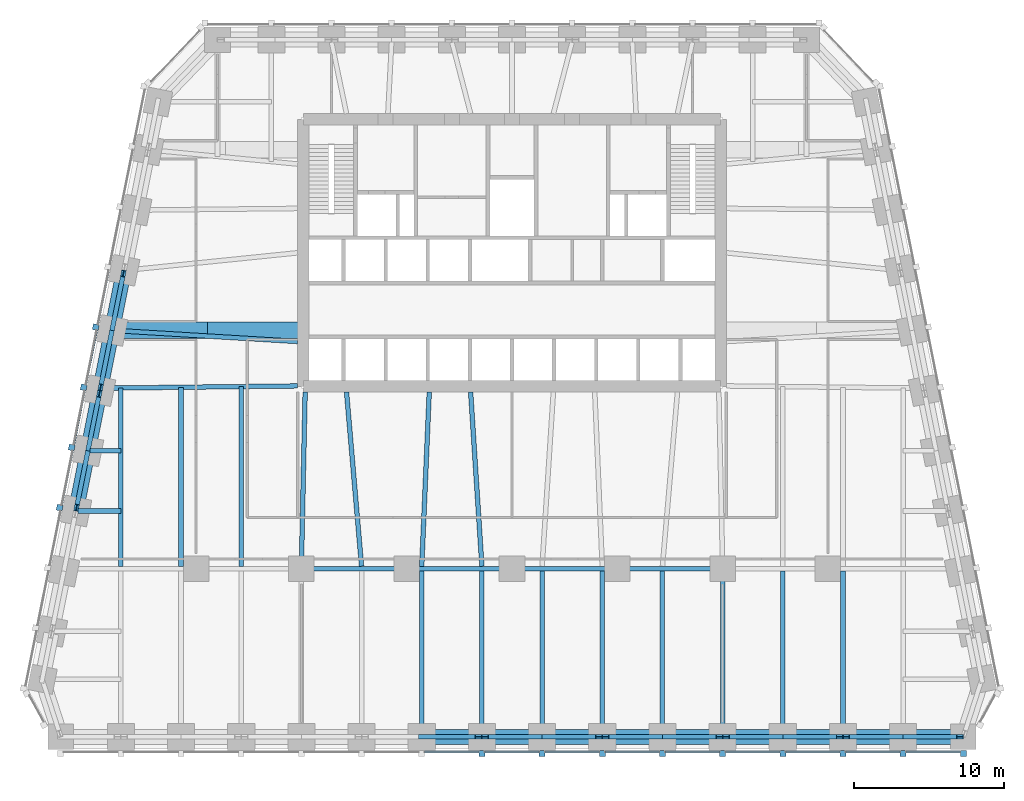
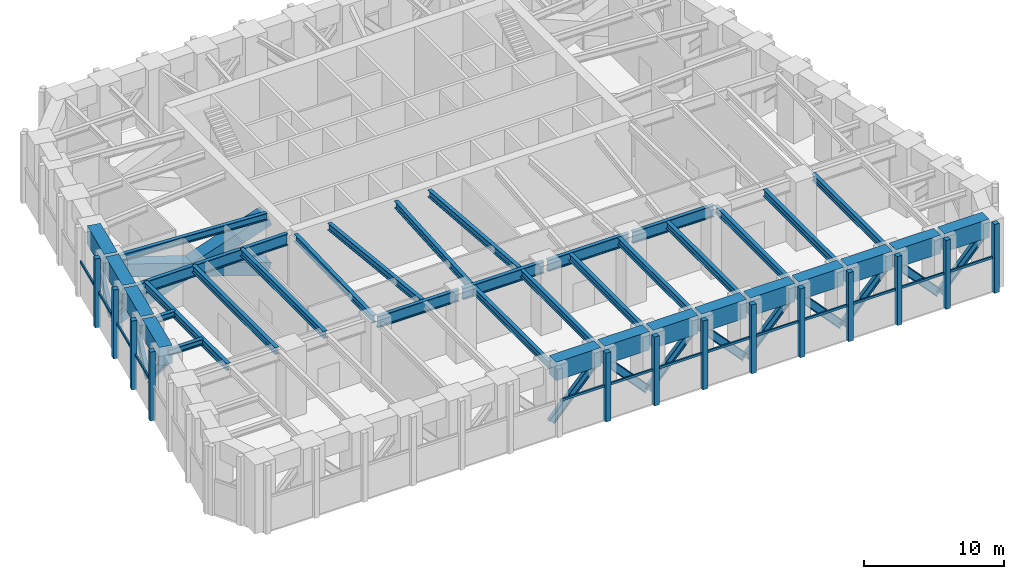
# One storey, part 2 of 9: 41 members, 36 beams, 2 elements without a shape of their own.
"""IFC4 building model written with IfcOpenShell, lengths in metres."""

from ifc_helpers import new_model, si_unit, direction, frame, origin, origin_2d, place, context, subcontext, project, spatial, rectangle, hollow_rectangle, i_section, extrude, material, material_profile, profile_set, type_object, element, aggregate, save


model = new_model("IFC4")

# Units and contexts
model_context = context("Model", 3, precision=1e-05, world=origin(), true_north=direction((0.0, 1.0)))
body_context = subcontext(model_context, "Body", "Model", "MODEL_VIEW")
ifc_project = project(units=[si_unit("LENGTHUNIT", "METRE"), si_unit("AREAUNIT", "SQUARE_METRE"), si_unit("VOLUMEUNIT", "CUBIC_METRE"), si_unit("PLANEANGLEUNIT", "RADIAN"), si_unit("MASSUNIT", "GRAM", prefix="KILO")], contexts=[model_context])

# Site, building, storey
site_placement = place(None, origin())
site = spatial("IfcSite", under=ifc_project, at=site_placement, CompositionType="ELEMENT")
building_placement = place(site_placement, origin())
building = spatial("IfcBuilding", under=site, at=building_placement, Name="Isbrekke Arena Tower", CompositionType="ELEMENT")
storey_placement = place(building_placement, frame((0.0, 0.0, 167.0)))
storey = spatial("IfcBuildingStorey", under=building, at=storey_placement, Name="L38", CompositionType="ELEMENT", Elevation=167.0)

# Beams
ifc_material_1 = material(Name="Steel S355", Category="steel")
ifc_material_profile_1 = material_profile(ifc_material_1, i_section(OverallWidth=0.304931640625, OverallDepth=0.6201171875, WebThickness=0.02099609375, FlangeThickness=0.0400390625, FilletRadius=0.027099609375, at=origin_2d()), Name="HEM 600")
ifc_profile_set_1 = profile_set([ifc_material_profile_1], Name="Steel S355")
beam_type_1 = type_object("IfcBeamType", Name="B4 HEM 600", PredefinedType="BEAM", material=ifc_profile_set_1)
for number, where, z_axis, x_axis, name in (
    (1, (-6.0, -17.02490234375, 5.489990234375), (0.0, 1.0, 0.0), (-1.0, 0.0, 0.0), "B4 beam S-S07 L38"),
    (2, (-2.0, -17.02490234375, 5.489990234375), (0.0, 1.0, 0.0), (-1.0, 0.0, 0.0), "B4 beam S-S08 L38"),
    (3, (2.0, -17.02490234375, 5.489990234375), (0.0, 1.0, 0.0), (-1.0, 0.0, 0.0), "B4 beam S-S09 L38"),
    (4, (6.0, -17.02490234375, 5.489990234375), (0.0, 1.0, 0.0), (-1.0, 0.0, 0.0), "B4 beam S-S10 L38"),
    (5, (10.0, -17.02490234375, 5.489990234375), (0.0, 1.0, 0.0), (-1.0, 0.0, 0.0), "B4 beam S-S11 L38"),
):
    element("IfcBeam", number, at=place(storey_placement, frame(where, z_axis=z_axis, x_axis=x_axis)), inside=storey, type_object=beam_type_1, Name=name, PredefinedType="BEAM", context=body_context, shape_type="SweptSolid", body=[
        extrude(i_section(OverallWidth=0.304931640625, OverallDepth=0.6201171875, WebThickness=0.02099609375, FlangeThickness=0.0400390625, FilletRadius=0.027099609375, at=origin_2d()), origin(), (0.0, 0.0, 1.0), 10.8740234375),
    ])
beam_1_placement = place(storey_placement, frame((14.0, -17.02490234375, 5.489990234375), z_axis=(0.0, 1.0, 0.0), x_axis=(-1.0, 0.0, 0.0)))
element("IfcBeam", 6, at=beam_1_placement, inside=storey, type_object=beam_type_1, Name="B4 beam S-S12 L38", PredefinedType="BEAM", context=body_context, shape_type="SweptSolid", body=[
    extrude(i_section(OverallWidth=0.304931640625, OverallDepth=0.6201171875, WebThickness=0.02099609375, FlangeThickness=0.0400390625, FilletRadius=0.027099609375, at=origin_2d()), origin(), (0.0, 0.0, 1.0), 10.875),
])
for number, where, z_axis, x_axis, name in (
    (7, (18.0, -17.02490234375, 5.489990234375), (0.0, 1.0, 0.0), (-1.0, 0.0, 0.0), "B4 beam S-S13 L38"),
    (8, (22.0, -17.02490234375, 5.489990234375), (0.0, 1.0, 0.0), (-1.0, 0.0, 0.0), "B4 beam S-S14 L38"),
):
    element("IfcBeam", number, at=place(storey_placement, frame(where, z_axis=z_axis, x_axis=x_axis)), inside=storey, type_object=beam_type_1, Name=name, PredefinedType="BEAM", context=body_context, shape_type="SweptSolid", body=[
        extrude(i_section(OverallWidth=0.304931640625, OverallDepth=0.6201171875, WebThickness=0.02099609375, FlangeThickness=0.0400390625, FilletRadius=0.027099609375, at=origin_2d()), origin(), (0.0, 0.0, 1.0), 10.8740234375),
    ])
beam_2_placement = place(storey_placement, frame((-26.0, -5.84912109375, 5.489990234375), z_axis=(0.0, 1.0, 0.0), x_axis=(-1.0, 0.0, 0.0)))
element("IfcBeam", 9, at=beam_2_placement, inside=storey, type_object=beam_type_1, Name="B4 beam C-M01 L38", PredefinedType="BEAM", context=body_context, shape_type="SweptSolid", body=[
    extrude(i_section(OverallWidth=0.304931640625, OverallDepth=0.6201171875, WebThickness=0.02099609375, FlangeThickness=0.0400390625, FilletRadius=0.027099609375, at=origin_2d()), origin(), (0.0, 0.0, 1.0), 11.864990234375),
])
beam_3_placement = place(storey_placement, frame((-22.0, -5.84912109375, 5.489990234375), z_axis=(0.0, 1.0, 0.0), x_axis=(-1.0, 0.0, 0.0)))
element("IfcBeam", 10, at=beam_3_placement, inside=storey, type_object=beam_type_1, Name="B4 beam C-M02 L38", PredefinedType="BEAM", context=body_context, shape_type="SweptSolid", body=[
    extrude(i_section(OverallWidth=0.304931640625, OverallDepth=0.6201171875, WebThickness=0.02099609375, FlangeThickness=0.0400390625, FilletRadius=0.027099609375, at=origin_2d()), origin(), (0.0, 0.0, 1.0), 11.91064453125),
])
beam_4_placement = place(storey_placement, frame((-18.0, -5.84912109375, 5.489990234375), z_axis=(0.0, 1.0, 0.0), x_axis=(-1.0, 0.0, 0.0)))
element("IfcBeam", 11, at=beam_4_placement, inside=storey, type_object=beam_type_1, Name="B4 beam C-M03 L38", PredefinedType="BEAM", context=body_context, shape_type="SweptSolid", body=[
    extrude(i_section(OverallWidth=0.304931640625, OverallDepth=0.6201171875, WebThickness=0.02099609375, FlangeThickness=0.0400390625, FilletRadius=0.027099609375, at=origin_2d()), origin(), (0.0, 0.0, 1.0), 11.956298828125),
])
beam_5_placement = place(storey_placement, frame((-14.0, -5.8466796875, 5.489990234375), z_axis=(0.021552887044, 0.999767709551, 0.0), x_axis=(-0.999767709551, 0.021552887044, 0.0)))
element("IfcBeam", 12, at=beam_5_placement, inside=storey, type_object=beam_type_1, Name="B4 beam C-M04 L38", PredefinedType="BEAM", context=body_context, shape_type="SweptSolid", body=[
    extrude(i_section(OverallWidth=0.304931640625, OverallDepth=0.6201171875, WebThickness=0.02099609375, FlangeThickness=0.0400390625, FilletRadius=0.027099609375, at=origin_2d()), origin(), (0.0, 0.0, 1.0), 11.599365234375),
])
beam_6_placement = place(storey_placement, frame((-10.001220703125, -5.8359375, 5.489990234375), z_axis=(-0.085887623552, 0.996304830923, 0.0), x_axis=(-0.996304830923, -0.085887623552, 0.0)))
element("IfcBeam", 13, at=beam_6_placement, inside=storey, type_object=beam_type_1, Name="B4 beam C-M05 L38", PredefinedType="BEAM", context=body_context, shape_type="SweptSolid", body=[
    extrude(i_section(OverallWidth=0.304931640625, OverallDepth=0.6201171875, WebThickness=0.02099609375, FlangeThickness=0.0400390625, FilletRadius=0.027099609375, at=origin_2d()), origin(), (0.0, 0.0, 1.0), 11.62890625),
])
beam_7_placement = place(storey_placement, frame((-5.999755859375, -5.842529296875, 5.489990234375), z_axis=(0.043070161667, 0.999072050041, 0.0), x_axis=(-0.999072050041, 0.043070161667, 0.0)))
element("IfcBeam", 14, at=beam_7_placement, inside=storey, type_object=beam_type_1, Name="B4 beam C-M06 L38", PredefinedType="BEAM", context=body_context, shape_type="SweptSolid", body=[
    extrude(i_section(OverallWidth=0.304931640625, OverallDepth=0.6201171875, WebThickness=0.02099609375, FlangeThickness=0.0400390625, FilletRadius=0.027099609375, at=origin_2d()), origin(), (0.0, 0.0, 1.0), 11.603271484375),
])
beam_8_placement = place(storey_placement, frame((-2.000732421875, -5.839111328125, 5.489990234375), z_axis=(-0.064518019507, 0.997916542181, 0.0), x_axis=(-0.997916542181, -0.064518019507, 0.0)))
element("IfcBeam", 15, at=beam_8_placement, inside=storey, type_object=beam_type_1, Name="B4 beam C-M07 L38", PredefinedType="BEAM", context=body_context, shape_type="SweptSolid", body=[
    extrude(i_section(OverallWidth=0.304931640625, OverallDepth=0.6201171875, WebThickness=0.02099609375, FlangeThickness=0.0400390625, FilletRadius=0.027099609375, at=origin_2d()), origin(), (0.0, 0.0, 1.0), 11.61328125),
])
beam_9_placement = place(storey_placement, frame((-26.431884765625, 9.837646484375, 5.489990234375), z_axis=(0.998172191876, -0.060434057993, 0.0), x_axis=(0.060434057993, 0.998172191876, 0.0)))
element("IfcBeam", 16, at=beam_9_placement, inside=storey, type_object=beam_type_1, Name="B4 beam E-W05 L38", PredefinedType="BEAM", context=body_context, shape_type="SweptSolid", body=[
    extrude(i_section(OverallWidth=0.304931640625, OverallDepth=0.6201171875, WebThickness=0.02099609375, FlangeThickness=0.0400390625, FilletRadius=0.027099609375, at=origin_2d()), origin(), (0.0, 0.0, 1.0), 12.2041015625),
])
ifc_material_2 = material(Name="Steel S355", Category="steel")
ifc_material_profile_2 = material_profile(ifc_material_2, i_section(OverallWidth=0.305908203125, OverallDepth=0.52392578125, WebThickness=0.02099609375, FlangeThickness=0.0400390625, FilletRadius=0.027099609375, at=origin_2d()), Name="HEM 500")
ifc_profile_set_2 = profile_set([ifc_material_profile_2], Name="Steel S355")
beam_type_2 = type_object("IfcBeamType", Name="B5 HEM 500", PredefinedType="BEAM", material=ifc_profile_set_2)
beam_10_placement = place(storey_placement, frame((-28.041015625, 1.838134765625, 5.5380859375), z_axis=(1.0, 0.0, 0.0), x_axis=(0.0, 1.0, 0.0)))
element("IfcBeam", 17, at=beam_10_placement, inside=storey, type_object=beam_type_2, Name="B5 beam E-W07 L38", PredefinedType="BEAM", context=body_context, shape_type="SweptSolid", body=[
    extrude(i_section(OverallWidth=0.305908203125, OverallDepth=0.52392578125, WebThickness=0.02099609375, FlangeThickness=0.0400390625, FilletRadius=0.027099609375, at=origin_2d()), origin(), (0.0, 0.0, 1.0), 2.041015625),
])
beam_11_placement = place(storey_placement, frame((-28.841064453125, -2.161865234375, 5.5380859375), z_axis=(1.0, 0.0, 0.0), x_axis=(0.0, 1.0, 0.0)))
element("IfcBeam", 18, at=beam_11_placement, inside=storey, type_object=beam_type_2, Name="B5 beam E-W08 L38", PredefinedType="BEAM", context=body_context, shape_type="SweptSolid", body=[
    extrude(i_section(OverallWidth=0.305908203125, OverallDepth=0.52392578125, WebThickness=0.02099609375, FlangeThickness=0.0400390625, FilletRadius=0.027099609375, at=origin_2d()), origin(), (0.0, 0.0, 1.0), 2.841064453125),
])

# Members
ifc_material_3 = material(Name="Steel S355", Category="steel")
ifc_material_profile_3 = material_profile(ifc_material_3, i_section(OverallWidth=0.304931640625, OverallDepth=0.6201171875, WebThickness=0.02099609375, FlangeThickness=0.0400390625, FilletRadius=0.027099609375, at=origin_2d()), Name="HEM 600")
ifc_profile_set_3 = profile_set([ifc_material_profile_3], Name="Steel S355")
member_type_1 = type_object("IfcMemberType", Name="BT1 HEM 600", PredefinedType="BRACE", material=ifc_profile_set_3)
for number, where, z_axis, x_axis, name in (
    (19, (-6.0, -17.175048828125, 0.60009765625), (0.681122032107, 0.0, 0.732169910183), (0.0, 1.0, 0.0), "BT1 belt truss diagonal S07 L38"),
    (20, (-1.781982421875, -17.175048828125, 4.66552734375), (0.681122032107, 0.0, -0.732169910183), (0.0, 1.0, 0.0), "BT1 belt truss diagonal S08 L38"),
    (21, (2.0, -17.175048828125, 0.60009765625), (0.681122032107, 0.0, 0.732169910183), (0.0, 1.0, 0.0), "BT1 belt truss diagonal S09 L38"),
    (22, (6.218017578125, -17.175048828125, 4.66552734375), (0.681122032107, 0.0, -0.732169910183), (0.0, 1.0, 0.0), "BT1 belt truss diagonal S10 L38"),
    (23, (10.0, -17.175048828125, 0.60009765625), (0.681122032107, 0.0, 0.732169910183), (0.0, 1.0, 0.0), "BT1 belt truss diagonal S11 L38"),
    (24, (14.218017578125, -17.175048828125, 4.66552734375), (0.681122032107, 0.0, -0.732169910183), (0.0, 1.0, 0.0), "BT1 belt truss diagonal S12 L38"),
    (25, (18.0, -17.175048828125, 0.60009765625), (0.681122032107, 0.0, 0.732169910183), (0.0, 1.0, 0.0), "BT1 belt truss diagonal S13 L38"),
    (26, (22.218017578125, -17.175048828125, 4.66552734375), (0.681122032107, 0.0, -0.732169910183), (0.0, 1.0, 0.0), "BT1 belt truss diagonal S14 L38"),
    (27, (26.0, -17.175048828125, 0.60009765625), (0.681122032107, 0.0, 0.732169910183), (0.0, 1.0, 0.0), "BT1 belt truss diagonal S15 L38"),
):
    element("IfcMember", number, at=place(storey_placement, frame(where, z_axis=z_axis, x_axis=x_axis)), inside=storey, type_object=member_type_1, Name=name, PredefinedType="BRACE", context=body_context, shape_type="SweptSolid", body=[
        extrude(i_section(OverallWidth=0.304931640625, OverallDepth=0.6201171875, WebThickness=0.02099609375, FlangeThickness=0.0400390625, FilletRadius=0.027099609375, at=origin_2d()), origin(), (0.0, 0.0, 1.0), 5.552490234375),
    ])
for number, where, z_axis, x_axis, name in (
    (28, (-25.833984375, 13.62353515625, 4.66943359375), (-0.134973713861, -0.674868569303, -0.725489152734), (0.980580675691, -0.196116135138, 0.0), "BT1 belt truss diagonal W04 L38"),
    (29, (-26.591064453125, 9.838134765625, 0.60009765625), (-0.134973713861, -0.674868569303, 0.725489152734), (0.980580675691, -0.196116135138, 0.0), "BT1 belt truss diagonal W05 L38"),
    (30, (-27.433837890625, 5.62353515625, 4.66943359375), (-0.134973713861, -0.674868569303, -0.725489152734), (0.980580675691, -0.196116135138, 0.0), "BT1 belt truss diagonal W06 L38"),
    (31, (-28.19091796875, 1.838134765625, 0.60009765625), (-0.134973713861, -0.674868569303, 0.725489152734), (0.980580675691, -0.196116135138, 0.0), "BT1 belt truss diagonal W07 L38"),
):
    element("IfcMember", number, at=place(storey_placement, frame(where, z_axis=z_axis, x_axis=x_axis)), inside=storey, type_object=member_type_1, Name=name, PredefinedType="BRACE", context=body_context, shape_type="SweptSolid", body=[
        extrude(i_section(OverallWidth=0.304931640625, OverallDepth=0.6201171875, WebThickness=0.02099609375, FlangeThickness=0.0400390625, FilletRadius=0.027099609375, at=origin_2d()), origin(), (0.0, 0.0, 1.0), 5.609130859375),
    ])

# Curtain wall, members
ifc_material_4 = material(Name="Glazed aluminium curtain wall", Category="aluminium")
curtain_wall_type = type_object("IfcCurtainWallType", Name="CWR PLANT LOUVRE WALL", PredefinedType="USERDEFINED", material=ifc_material_4)
curtain_wall_1_placement = place(storey_placement, origin())
curtain_wall_1 = element("IfcCurtainWall", 32, at=curtain_wall_1_placement, inside=storey, type_object=curtain_wall_type, Name="CWR curtain wall L38-S", ObjectType="PLANT LOUVRE WALL", PredefinedType="USERDEFINED")
ifc_material_5 = material(Name="Aluminium mullion, pale brick slip cladding", Category="masonry")
ifc_material_profile_4 = material_profile(ifc_material_5, rectangle(XDim=0.39990234375, YDim=0.39990234375, at=origin_2d()), Name="PIER 400X400")
ifc_profile_set_4 = profile_set([ifc_material_profile_4], Name="Aluminium mullion, pale brick slip cladding")
member_type_2 = type_object("IfcMemberType", Name="CWR-M PIER MULLION 400 x 400", PredefinedType="MULLION", material=ifc_profile_set_4)
member_1_placement = place(storey_placement, frame((-2.0, -18.27490234375, 0.0), z_axis=(0.0, 0.0, 1.0), x_axis=(1.0, 0.0, 0.0)))
member_1 = element("IfcMember", 33, at=member_1_placement, type_object=member_type_2, Name="CWR-M mullion 8", PredefinedType="MULLION", context=body_context, shape_type="SweptSolid", body=[
    extrude(rectangle(XDim=0.39990234375, YDim=0.39990234375, at=origin_2d()), origin(), (0.0, 0.0, 1.0), 6.0),
])
member_2_placement = place(storey_placement, frame((2.0, -18.27490234375, 0.0), z_axis=(0.0, 0.0, 1.0), x_axis=(1.0, 0.0, 0.0)))
member_2 = element("IfcMember", 34, at=member_2_placement, type_object=member_type_2, Name="CWR-M mullion 9", PredefinedType="MULLION", context=body_context, shape_type="SweptSolid", body=[
    extrude(rectangle(XDim=0.39990234375, YDim=0.39990234375, at=origin_2d()), origin(), (0.0, 0.0, 1.0), 6.0),
])
member_3_placement = place(storey_placement, frame((6.0, -18.27490234375, 0.0), z_axis=(0.0, 0.0, 1.0), x_axis=(1.0, 0.0, 0.0)))
member_3 = element("IfcMember", 35, at=member_3_placement, type_object=member_type_2, Name="CWR-M mullion 10", PredefinedType="MULLION", context=body_context, shape_type="SweptSolid", body=[
    extrude(rectangle(XDim=0.39990234375, YDim=0.39990234375, at=origin_2d()), origin(), (0.0, 0.0, 1.0), 6.0),
])
member_4_placement = place(storey_placement, frame((10.0, -18.27490234375, 0.0), z_axis=(0.0, 0.0, 1.0), x_axis=(1.0, 0.0, 0.0)))
member_4 = element("IfcMember", 36, at=member_4_placement, type_object=member_type_2, Name="CWR-M mullion 11", PredefinedType="MULLION", context=body_context, shape_type="SweptSolid", body=[
    extrude(rectangle(XDim=0.39990234375, YDim=0.39990234375, at=origin_2d()), origin(), (0.0, 0.0, 1.0), 6.0),
])
member_5_placement = place(storey_placement, frame((14.0, -18.27490234375, 0.0), z_axis=(0.0, 0.0, 1.0), x_axis=(1.0, 0.0, 0.0)))
member_5 = element("IfcMember", 37, at=member_5_placement, type_object=member_type_2, Name="CWR-M mullion 12", PredefinedType="MULLION", context=body_context, shape_type="SweptSolid", body=[
    extrude(rectangle(XDim=0.39990234375, YDim=0.39990234375, at=origin_2d()), origin(), (0.0, 0.0, 1.0), 6.0),
])
member_6_placement = place(storey_placement, frame((18.0, -18.27490234375, 0.0), z_axis=(0.0, 0.0, 1.0), x_axis=(1.0, 0.0, 0.0)))
member_6 = element("IfcMember", 38, at=member_6_placement, type_object=member_type_2, Name="CWR-M mullion 13", PredefinedType="MULLION", context=body_context, shape_type="SweptSolid", body=[
    extrude(rectangle(XDim=0.39990234375, YDim=0.39990234375, at=origin_2d()), origin(), (0.0, 0.0, 1.0), 6.0),
])
member_7_placement = place(storey_placement, frame((22.0, -18.27490234375, 0.0), z_axis=(0.0, 0.0, 1.0), x_axis=(1.0, 0.0, 0.0)))
member_7 = element("IfcMember", 39, at=member_7_placement, type_object=member_type_2, Name="CWR-M mullion 14", PredefinedType="MULLION", context=body_context, shape_type="SweptSolid", body=[
    extrude(rectangle(XDim=0.39990234375, YDim=0.39990234375, at=origin_2d()), origin(), (0.0, 0.0, 1.0), 6.0),
])
member_8_placement = place(storey_placement, frame((26.0, -18.27490234375, 0.0), z_axis=(0.0, 0.0, 1.0), x_axis=(1.0, 0.0, 0.0)))
member_8 = element("IfcMember", 40, at=member_8_placement, type_object=member_type_2, Name="CWR-M mullion 15", PredefinedType="MULLION", context=body_context, shape_type="SweptSolid", body=[
    extrude(rectangle(XDim=0.39990234375, YDim=0.39990234375, at=origin_2d()), origin(), (0.0, 0.0, 1.0), 6.0),
])
member_9_placement = place(storey_placement, frame((30.0, -18.27490234375, 0.0), z_axis=(0.0, 0.0, 1.0), x_axis=(1.0, 0.0, 0.0)))
member_9 = element("IfcMember", 41, at=member_9_placement, type_object=member_type_2, Name="CWR-M mullion 16", PredefinedType="MULLION", context=body_context, shape_type="SweptSolid", body=[
    extrude(rectangle(XDim=0.39990234375, YDim=0.39990234375, at=origin_2d()), origin(), (0.0, 0.0, 1.0), 6.0),
])

curtain_wall_2_placement = place(storey_placement, origin())
curtain_wall_2 = element("IfcCurtainWall", 42, at=curtain_wall_2_placement, inside=storey, type_object=curtain_wall_type, Name="CWR curtain wall L38-W", ObjectType="PLANT LOUVRE WALL", PredefinedType="USERDEFINED")
member_10_placement = place(storey_placement, frame((-27.669677734375, 10.053955078125, 0.0), z_axis=(0.0, 0.0, 1.0), x_axis=(-0.196116135138, -0.980580675691, 0.0)))
member_10 = element("IfcMember", 43, at=member_10_placement, type_object=member_type_2, Name="CWR-M mullion 5", PredefinedType="MULLION", context=body_context, shape_type="SweptSolid", body=[
    extrude(rectangle(XDim=0.39990234375, YDim=0.39990234375, at=origin_2d()), origin(), (0.0, 0.0, 1.0), 6.0),
])
member_11_placement = place(storey_placement, frame((-28.4697265625, 6.053955078125, 0.0), z_axis=(0.0, 0.0, 1.0), x_axis=(-0.196116135138, -0.980580675691, 0.0)))
member_11 = element("IfcMember", 44, at=member_11_placement, type_object=member_type_2, Name="CWR-M mullion 6", PredefinedType="MULLION", context=body_context, shape_type="SweptSolid", body=[
    extrude(rectangle(XDim=0.39990234375, YDim=0.39990234375, at=origin_2d()), origin(), (0.0, 0.0, 1.0), 6.0),
])
member_12_placement = place(storey_placement, frame((-29.269775390625, 2.053955078125, 0.0), z_axis=(0.0, 0.0, 1.0), x_axis=(-0.196116135138, -0.980580675691, 0.0)))
member_12 = element("IfcMember", 45, at=member_12_placement, type_object=member_type_2, Name="CWR-M mullion 7", PredefinedType="MULLION", context=body_context, shape_type="SweptSolid", body=[
    extrude(rectangle(XDim=0.39990234375, YDim=0.39990234375, at=origin_2d()), origin(), (0.0, 0.0, 1.0), 6.0),
])
member_13_placement = place(storey_placement, frame((-30.069580078125, -1.946044921875, 0.0), z_axis=(0.0, 0.0, 1.0), x_axis=(-0.196116135138, -0.980580675691, 0.0)))
member_13 = element("IfcMember", 46, at=member_13_placement, type_object=member_type_2, Name="CWR-M mullion 8", PredefinedType="MULLION", context=body_context, shape_type="SweptSolid", body=[
    extrude(rectangle(XDim=0.39990234375, YDim=0.39990234375, at=origin_2d()), origin(), (0.0, 0.0, 1.0), 6.0),
])

# Member
ifc_material_6 = material(Name="Aluminium transom", Category="aluminium")
ifc_material_profile_5 = material_profile(ifc_material_6, rectangle(XDim=0.1201171875, YDim=0.199951171875, at=origin_2d()), Name="TRANSOM 120X200")
ifc_profile_set_5 = profile_set([ifc_material_profile_5], Name="Aluminium transom")
member_type_3 = type_object("IfcMemberType", Name="CWR-T TRANSOM 120 x 200", PredefinedType="USERDEFINED", material=ifc_profile_set_5)
member_14_placement = place(storey_placement, frame((-5.800048828125, -18.175048828125, 3.0), z_axis=(1.0, 0.0, 0.0), x_axis=(0.0, 1.0, 0.0)))
member_14 = element("IfcMember", 47, at=member_14_placement, type_object=member_type_3, Name="CWR-T transom 7", ObjectType="TRANSOM", PredefinedType="USERDEFINED", context=body_context, shape_type="SweptSolid", body=[
    extrude(rectangle(XDim=0.1201171875, YDim=0.199951171875, at=origin_2d()), origin(), (0.0, 0.0, 1.0), 3.60009765625),
])

member_15_placement = place(storey_placement, frame((-1.800048828125, -18.175048828125, 3.0), z_axis=(1.0, 0.0, 0.0), x_axis=(0.0, 1.0, 0.0)))
member_15 = element("IfcMember", 48, at=member_15_placement, type_object=member_type_3, Name="CWR-T transom 8", ObjectType="TRANSOM", PredefinedType="USERDEFINED", context=body_context, shape_type="SweptSolid", body=[
    extrude(rectangle(XDim=0.1201171875, YDim=0.199951171875, at=origin_2d()), origin(), (0.0, 0.0, 1.0), 3.60009765625),
])

member_16_placement = place(storey_placement, frame((2.199951171875, -18.175048828125, 3.0), z_axis=(1.0, 0.0, 0.0), x_axis=(0.0, 1.0, 0.0)))
member_16 = element("IfcMember", 49, at=member_16_placement, type_object=member_type_3, Name="CWR-T transom 9", ObjectType="TRANSOM", PredefinedType="USERDEFINED", context=body_context, shape_type="SweptSolid", body=[
    extrude(rectangle(XDim=0.1201171875, YDim=0.199951171875, at=origin_2d()), origin(), (0.0, 0.0, 1.0), 3.60009765625),
])

member_17_placement = place(storey_placement, frame((6.199951171875, -18.175048828125, 3.0), z_axis=(1.0, 0.0, 0.0), x_axis=(0.0, 1.0, 0.0)))
member_17 = element("IfcMember", 50, at=member_17_placement, type_object=member_type_3, Name="CWR-T transom 10", ObjectType="TRANSOM", PredefinedType="USERDEFINED", context=body_context, shape_type="SweptSolid", body=[
    extrude(rectangle(XDim=0.1201171875, YDim=0.199951171875, at=origin_2d()), origin(), (0.0, 0.0, 1.0), 3.60009765625),
])

member_18_placement = place(storey_placement, frame((10.199951171875, -18.175048828125, 3.0), z_axis=(1.0, 0.0, 0.0), x_axis=(0.0, 1.0, 0.0)))
member_18 = element("IfcMember", 51, at=member_18_placement, type_object=member_type_3, Name="CWR-T transom 11", ObjectType="TRANSOM", PredefinedType="USERDEFINED", context=body_context, shape_type="SweptSolid", body=[
    extrude(rectangle(XDim=0.1201171875, YDim=0.199951171875, at=origin_2d()), origin(), (0.0, 0.0, 1.0), 3.60009765625),
])

member_19_placement = place(storey_placement, frame((14.199951171875, -18.175048828125, 3.0), z_axis=(1.0, 0.0, 0.0), x_axis=(0.0, 1.0, 0.0)))
member_19 = element("IfcMember", 52, at=member_19_placement, type_object=member_type_3, Name="CWR-T transom 12", ObjectType="TRANSOM", PredefinedType="USERDEFINED", context=body_context, shape_type="SweptSolid", body=[
    extrude(rectangle(XDim=0.1201171875, YDim=0.199951171875, at=origin_2d()), origin(), (0.0, 0.0, 1.0), 3.60009765625),
])

member_20_placement = place(storey_placement, frame((18.199951171875, -18.175048828125, 3.0), z_axis=(1.0, 0.0, 0.0), x_axis=(0.0, 1.0, 0.0)))
member_20 = element("IfcMember", 53, at=member_20_placement, type_object=member_type_3, Name="CWR-T transom 13", ObjectType="TRANSOM", PredefinedType="USERDEFINED", context=body_context, shape_type="SweptSolid", body=[
    extrude(rectangle(XDim=0.1201171875, YDim=0.199951171875, at=origin_2d()), origin(), (0.0, 0.0, 1.0), 3.60009765625),
])

member_21_placement = place(storey_placement, frame((22.199951171875, -18.175048828125, 3.0), z_axis=(1.0, 0.0, 0.0), x_axis=(0.0, 1.0, 0.0)))
member_21 = element("IfcMember", 54, at=member_21_placement, type_object=member_type_3, Name="CWR-T transom 14", ObjectType="TRANSOM", PredefinedType="USERDEFINED", context=body_context, shape_type="SweptSolid", body=[
    extrude(rectangle(XDim=0.1201171875, YDim=0.199951171875, at=origin_2d()), origin(), (0.0, 0.0, 1.0), 3.60009765625),
])

member_22_placement = place(storey_placement, frame((26.199951171875, -18.175048828125, 3.0), z_axis=(1.0, 0.0, 0.0), x_axis=(0.0, 1.0, 0.0)))
member_22 = element("IfcMember", 55, at=member_22_placement, type_object=member_type_3, Name="CWR-T transom 15", ObjectType="TRANSOM", PredefinedType="USERDEFINED", context=body_context, shape_type="SweptSolid", body=[
    extrude(rectangle(XDim=0.1201171875, YDim=0.199951171875, at=origin_2d()), origin(), (0.0, 0.0, 1.0), 3.60009765625),
])

aggregate(curtain_wall_1, [member_1, member_2, member_3, member_4, member_5, member_6, member_7, member_8, member_9, member_14, member_15, member_16, member_17, member_18, member_19, member_20, member_21, member_22])

member_23_placement = place(storey_placement, frame((-26.810791015625, 13.838134765625, 3.0), z_axis=(-0.196154418484, -0.980573018245, 0.0), x_axis=(0.980573018245, -0.196154418484, 0.0)))
member_23 = element("IfcMember", 56, at=member_23_placement, type_object=member_type_3, Name="CWR-T transom 4", ObjectType="TRANSOM", PredefinedType="USERDEFINED", context=body_context, shape_type="SweptSolid", body=[
    extrude(rectangle(XDim=0.1201171875, YDim=0.199951171875, at=origin_2d()), origin(), (0.0, 0.0, 1.0), 3.67919921875),
])

member_24_placement = place(storey_placement, frame((-27.61083984375, 9.838134765625, 3.0), z_axis=(-0.19609061241, -0.980585779891, 0.0), x_axis=(0.980585779891, -0.19609061241, 0.0)))
member_24 = element("IfcMember", 57, at=member_24_placement, type_object=member_type_3, Name="CWR-T transom 5", ObjectType="TRANSOM", PredefinedType="USERDEFINED", context=body_context, shape_type="SweptSolid", body=[
    extrude(rectangle(XDim=0.1201171875, YDim=0.199951171875, at=origin_2d()), origin(), (0.0, 0.0, 1.0), 3.67919921875),
])

member_25_placement = place(storey_placement, frame((-28.410888671875, 5.838134765625, 3.0), z_axis=(-0.19609061241, -0.980585779891, 0.0), x_axis=(0.980585779891, -0.19609061241, 0.0)))
member_25 = element("IfcMember", 58, at=member_25_placement, type_object=member_type_3, Name="CWR-T transom 6", ObjectType="TRANSOM", PredefinedType="USERDEFINED", context=body_context, shape_type="SweptSolid", body=[
    extrude(rectangle(XDim=0.1201171875, YDim=0.199951171875, at=origin_2d()), origin(), (0.0, 0.0, 1.0), 3.67919921875),
])

member_26_placement = place(storey_placement, frame((-29.2109375, 1.838134765625, 3.0), z_axis=(-0.19609061241, -0.980585779891, 0.0), x_axis=(0.980585779891, -0.19609061241, 0.0)))
member_26 = element("IfcMember", 59, at=member_26_placement, type_object=member_type_3, Name="CWR-T transom 7", ObjectType="TRANSOM", PredefinedType="USERDEFINED", context=body_context, shape_type="SweptSolid", body=[
    extrude(rectangle(XDim=0.1201171875, YDim=0.199951171875, at=origin_2d()), origin(), (0.0, 0.0, 1.0), 3.67919921875),
])

aggregate(curtain_wall_2, [member_10, member_11, member_12, member_13, member_23, member_24, member_25, member_26])

# Beams
ifc_material_7 = material(Name="Steel S355", Category="steel")
ifc_material_profile_6 = material_profile(ifc_material_7, i_section(OverallWidth=0.302001953125, OverallDepth=1.008056640625, WebThickness=0.02099609375, FlangeThickness=0.0400390625, FilletRadius=0.030029296875, at=origin_2d()), Name="HEM 1000")
ifc_profile_set_6 = profile_set([ifc_material_profile_6], Name="Steel S355")
beam_type_3 = type_object("IfcBeamType", Name="G1 HEM 1000", PredefinedType="BEAM", material=ifc_profile_set_6)
for number, where, z_axis, x_axis, name in (
    (60, (-13.85009765625, -6.0, 5.2958984375), (1.0, 0.0, 0.0), (0.0, 1.0, 0.0), "G1 beam G1-03 L38"),
    (61, (-6.85009765625, -6.0, 5.2958984375), (1.0, 0.0, 0.0), (0.0, 1.0, 0.0), "G1 beam G1-04 L38"),
    (62, (0.14990234375, -6.0, 5.2958984375), (1.0, 0.0, 0.0), (0.0, 1.0, 0.0), "G1 beam G1-05 L38"),
    (63, (7.14990234375, -6.0, 5.2958984375), (1.0, 0.0, 0.0), (0.0, 1.0, 0.0), "G1 beam G1-06 L38"),
):
    element("IfcBeam", number, at=place(storey_placement, frame(where, z_axis=z_axis, x_axis=x_axis)), inside=storey, type_object=beam_type_3, Name=name, PredefinedType="BEAM", context=body_context, shape_type="SweptSolid", body=[
        extrude(i_section(OverallWidth=0.302001953125, OverallDepth=1.008056640625, WebThickness=0.02099609375, FlangeThickness=0.0400390625, FilletRadius=0.030029296875, at=origin_2d()), origin(), (0.0, 0.0, 1.0), 6.7001953125),
    ])
ifc_material_8 = material(Name="Steel S355", Category="steel")
ifc_material_profile_7 = material_profile(ifc_material_8, i_section(OverallWidth=0.302001953125, OverallDepth=1.008056640625, WebThickness=0.02099609375, FlangeThickness=0.0400390625, FilletRadius=0.030029296875, at=origin_2d()), Name="HEM 1000")
ifc_profile_set_7 = profile_set([ifc_material_profile_7], Name="Steel S355")
beam_type_4 = type_object("IfcBeamType", Name="G2 HEM 1000", PredefinedType="BEAM", material=ifc_profile_set_7)
beam_12_placement = place(storey_placement, frame((-14.25, 6.14990234375, 5.2958984375), z_axis=(-0.999934928157, -0.011407867963, 0.0), x_axis=(0.011407867963, -0.999934928157, 0.0)))
element("IfcBeam", 64, at=beam_12_placement, inside=storey, type_object=beam_type_4, Name="G2 beam G2-W L38", PredefinedType="BEAM", context=body_context, shape_type="SweptSolid", body=[
    extrude(i_section(OverallWidth=0.302001953125, OverallDepth=1.008056640625, WebThickness=0.02099609375, FlangeThickness=0.0400390625, FilletRadius=0.030029296875, at=origin_2d()), origin(), (0.0, 0.0, 1.0), 13.140380859375),
])

# Members
ifc_material_9 = material(Name="Steel S460", Category="steel")
ifc_material_profile_8 = material_profile(ifc_material_9, hollow_rectangle(XDim=1.10009765625, YDim=1.10009765625, WallThickness=0.050048828125, at=origin_2d()), Name="BOX 1100x1100x50")
ifc_profile_set_8 = profile_set([ifc_material_profile_8], Name="Steel S460")
member_type_4 = type_object("IfcMemberType", Name="OT1 BOX 1100x1100x50", PredefinedType="BRACE", material=ifc_profile_set_8)
for number, where, z_axis, x_axis, name in (
    (65, (-13.875, 9.838134765625, 0.60009765625), (-0.947308548872, 0.0, 0.320322514404), (0.0, -1.0, 0.0), "OT1 outrigger W L38 1"),
    (66, (-13.875, 9.838134765625, 4.89990234375), (-0.947308548872, 0.0, -0.320322514404), (0.0, -1.0, 0.0), "OT1 outrigger W L38 2"),
):
    element("IfcMember", number, at=place(storey_placement, frame(where, z_axis=z_axis, x_axis=x_axis)), inside=storey, type_object=member_type_4, Name=name, PredefinedType="BRACE", context=body_context, shape_type="SweptSolid", body=[
        extrude(hollow_rectangle(XDim=1.10009765625, YDim=1.10009765625, WallThickness=0.050048828125, at=origin_2d()), origin(), (0.0, 0.0, 1.0), 13.42333984375),
    ])

# Beams
ifc_material_10 = material(Name="Concrete B80 (C80/95)", Category="concrete")
ifc_material_profile_9 = material_profile(ifc_material_10, rectangle(XDim=1.0, YDim=1.60009765625, at=origin_2d()), Name="RC 1000x1600")
ifc_profile_set_9 = profile_set([ifc_material_profile_9], Name="Concrete B80 (C80/95)")
beam_type_5 = type_object("IfcBeamType", Name="SB2 RC 1000 x 1600", PredefinedType="SPANDREL", material=ifc_profile_set_9)
for number, where, z_axis, x_axis, name in (
    (67, (-5.85009765625, -17.175048828125, 5.199951171875), (1.0, 0.0, 0.0), (0.0, 1.0, 0.0), "SB2 spandrel S07-S08 L38"),
    (68, (-1.85009765625, -17.175048828125, 5.199951171875), (1.0, 0.0, 0.0), (0.0, 1.0, 0.0), "SB2 spandrel S08-S09 L38"),
    (69, (2.14990234375, -17.175048828125, 5.199951171875), (1.0, 0.0, 0.0), (0.0, 1.0, 0.0), "SB2 spandrel S09-S10 L38"),
    (70, (6.14990234375, -17.175048828125, 5.199951171875), (1.0, 0.0, 0.0), (0.0, 1.0, 0.0), "SB2 spandrel S10-S11 L38"),
    (71, (10.14990234375, -17.175048828125, 5.199951171875), (1.0, 0.0, 0.0), (0.0, 1.0, 0.0), "SB2 spandrel S11-S12 L38"),
    (72, (14.14990234375, -17.175048828125, 5.199951171875), (1.0, 0.0, 0.0), (0.0, 1.0, 0.0), "SB2 spandrel S12-S13 L38"),
    (73, (18.14990234375, -17.175048828125, 5.199951171875), (1.0, 0.0, 0.0), (0.0, 1.0, 0.0), "SB2 spandrel S13-S14 L38"),
    (74, (22.14990234375, -17.175048828125, 5.199951171875), (1.0, 0.0, 0.0), (0.0, 1.0, 0.0), "SB2 spandrel S14-S15 L38"),
    (75, (26.14990234375, -17.175048828125, 5.199951171875), (1.0, 0.0, 0.0), (0.0, 1.0, 0.0), "SB2 spandrel S15-S16 L38"),
):
    element("IfcBeam", number, at=place(storey_placement, frame(where, z_axis=z_axis, x_axis=x_axis)), inside=storey, type_object=beam_type_5, Name=name, PredefinedType="SPANDREL", context=body_context, shape_type="SweptSolid", body=[
        extrude(rectangle(XDim=1.0, YDim=1.60009765625, at=origin_2d()), origin(), (0.0, 0.0, 1.0), 3.7001953125),
    ])
beam_13_placement = place(storey_placement, frame((-25.820556640625, 13.691162109375, 5.199951171875), z_axis=(-0.1960664412, -0.980590613169, 0.0), x_axis=(0.980590613169, -0.1960664412, 0.0)))
element("IfcBeam", 76, at=beam_13_placement, inside=storey, type_object=beam_type_5, Name="SB2 spandrel W04-W05 L38", PredefinedType="SPANDREL", context=body_context, shape_type="SweptSolid", body=[
    extrude(rectangle(XDim=1.0, YDim=1.60009765625, at=origin_2d()), origin(), (0.0, 0.0, 1.0), 3.779052734375),
])
for number, where, z_axis, x_axis, name in (
    (77, (-26.620361328125, 9.691162109375, 5.199951171875), (-0.196128558387, -0.980578190959, 0.0), (0.980578190959, -0.196128558387, 0.0), "SB2 spandrel W05-W06 L38"),
    (78, (-27.42041015625, 5.691162109375, 5.199951171875), (-0.196128558387, -0.980578190959, 0.0), (0.980578190959, -0.196128558387, 0.0), "SB2 spandrel W06-W07 L38"),
    (79, (-28.220458984375, 1.691162109375, 5.199951171875), (-0.196128558387, -0.980578190959, 0.0), (0.980578190959, -0.196128558387, 0.0), "SB2 spandrel W07-W08 L38"),
):
    element("IfcBeam", number, at=place(storey_placement, frame(where, z_axis=z_axis, x_axis=x_axis)), inside=storey, type_object=beam_type_5, Name=name, PredefinedType="SPANDREL", context=body_context, shape_type="SweptSolid", body=[
        extrude(rectangle(XDim=1.0, YDim=1.60009765625, at=origin_2d()), origin(), (0.0, 0.0, 1.0), 3.779296875),
    ])

save(model, "model.ifc")
